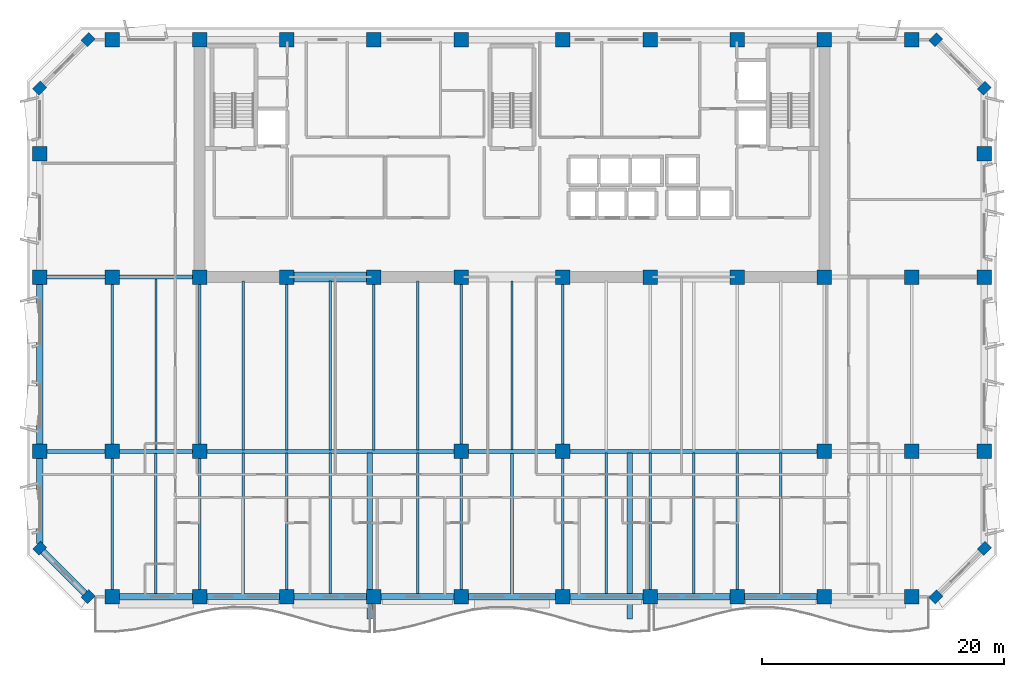
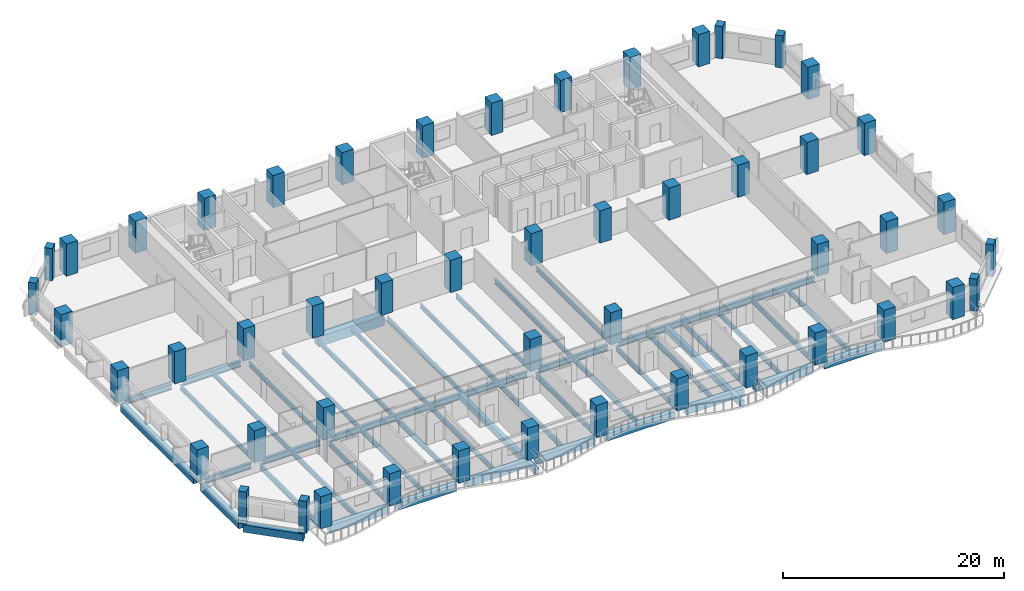
# One storey, part 1 of 15: 50 columns, 47 beams.
"""IFC4 building model written with IfcOpenShell, lengths in metres."""

from ifc_helpers import new_model, si_unit, direction, frame, origin, origin_2d, place, context, subcontext, project, spatial, rectangle, i_section, extrude, material, material_profile, profile_set, type_object, element, save


model = new_model("IFC4")

# Units and contexts
model_context = context("Model", 3, precision=1e-05, world=origin(), true_north=direction((0.0, 1.0)))
body_context = subcontext(model_context, "Body", "Model", "MODEL_VIEW")
ifc_project = project(units=[si_unit("LENGTHUNIT", "METRE"), si_unit("AREAUNIT", "SQUARE_METRE"), si_unit("VOLUMEUNIT", "CUBIC_METRE"), si_unit("PLANEANGLEUNIT", "RADIAN"), si_unit("MASSUNIT", "GRAM", prefix="KILO")], contexts=[model_context])

# Site, building, storey
site_placement = place(None, origin())
site = spatial("IfcSite", under=ifc_project, at=site_placement, CompositionType="ELEMENT")
building_placement = place(site_placement, origin())
building = spatial("IfcBuilding", under=site, at=building_placement, Name="Kaelvorn Grand Hotel", CompositionType="ELEMENT")
storey_placement = place(building_placement, frame((0.0, 0.0, 146.75)))
storey = spatial("IfcBuildingStorey", under=building, at=storey_placement, Name="L35", CompositionType="ELEMENT", Elevation=146.75)

# Columns
ifc_material_1 = material(Name="Concrete C60/75", Category="concrete")
ifc_material_profile_1 = material_profile(ifc_material_1, rectangle(XDim=0.89990234375, YDim=0.75, at=origin_2d()), Name="RC PILASTER 900x750")
ifc_profile_set_1 = profile_set([ifc_material_profile_1], Name="Concrete C60/75")
column_type_1 = type_object("IfcColumnType", Name="COL-PIL-900x750-C60", PredefinedType="PILASTER", material=ifc_profile_set_1)
for number, where, z_axis, x_axis, name in (
    (1, (7.0, 3.0, 0.0), (0.0, 0.0, 1.0), (0.707106781187, 0.707106781187, 0.0), "L35 Structural Column CH-01"),
    (2, (77.0, 3.0, 0.0), (0.0, 0.0, 1.0), (0.707106781187, 0.707106781187, 0.0), "L35 Structural Column CH-02"),
    (3, (81.0, 7.0, 0.0), (0.0, 0.0, 1.0), (0.707106781187, 0.707106781187, 0.0), "L35 Structural Column CH-03"),
    (4, (81.0, 45.0, 0.0), (0.0, 0.0, 1.0), (0.707106781187, 0.707106781187, 0.0), "L35 Structural Column CH-04"),
    (5, (77.0, 49.0, 0.0), (0.0, 0.0, 1.0), (0.707106781187, 0.707106781187, 0.0), "L35 Structural Column CH-05"),
    (6, (7.0, 49.0, 0.0), (0.0, 0.0, 1.0), (0.707106781187, 0.707106781187, 0.0), "L35 Structural Column CH-06"),
    (7, (3.0, 45.0, 0.0), (0.0, 0.0, 1.0), (0.707106781187, 0.707106781187, 0.0), "L35 Structural Column CH-07"),
    (8, (3.0, 7.0, 0.0), (0.0, 0.0, 1.0), (0.707106781187, 0.707106781187, 0.0), "L35 Structural Column CH-08"),
):
    element("IfcColumn", number, at=place(storey_placement, frame(where, z_axis=z_axis, x_axis=x_axis)), inside=storey, type_object=column_type_1, Name=name, PredefinedType="PILASTER", context=body_context, shape_type="SweptSolid", body=[
        extrude(rectangle(XDim=0.89990234375, YDim=0.75, at=origin_2d()), origin(), (0.0, 0.0, 1.0), 3.56005859375),
    ])
ifc_material_profile_2 = material_profile(ifc_material_1, rectangle(XDim=1.199951171875, YDim=1.199951171875, at=origin_2d()), Name="RC COL 1200x1200")
ifc_profile_set_2 = profile_set([ifc_material_profile_2], Name="Concrete C60/75")
column_type_2 = type_object("IfcColumnType", Name="COL-RC-1200-C60", PredefinedType="COLUMN", material=ifc_profile_set_2)
for number, where, z_axis, x_axis, name in (
    (9, (9.0, 3.0, 0.0), (0.0, 0.0, 1.0), (1.0, 0.0, 0.0), "L35 Structural Column S-01"),
    (10, (16.199951171875, 3.0, 0.0), (0.0, 0.0, 1.0), (1.0, 0.0, 0.0), "L35 Structural Column S-02"),
    (11, (23.39990234375, 3.0, 0.0), (0.0, 0.0, 1.0), (1.0, 0.0, 0.0), "L35 Structural Column S-03"),
    (12, (30.60009765625, 3.0, 0.0), (0.0, 0.0, 1.0), (1.0, 0.0, 0.0), "L35 Structural Column S-04"),
    (13, (37.800048828125, 3.0, 0.0), (0.0, 0.0, 1.0), (1.0, 0.0, 0.0), "L35 Structural Column S-05"),
    (14, (46.199951171875, 3.0, 0.0), (0.0, 0.0, 1.0), (1.0, 0.0, 0.0), "L35 Structural Column S-06"),
    (15, (53.39990234375, 3.0, 0.0), (0.0, 0.0, 1.0), (1.0, 0.0, 0.0), "L35 Structural Column S-07"),
    (16, (60.60009765625, 3.0, 0.0), (0.0, 0.0, 1.0), (1.0, 0.0, 0.0), "L35 Structural Column S-08"),
    (17, (67.800048828125, 3.0, 0.0), (0.0, 0.0, 1.0), (1.0, 0.0, 0.0), "L35 Structural Column S-09"),
    (18, (75.0, 3.0, 0.0), (0.0, 0.0, 1.0), (1.0, 0.0, 0.0), "L35 Structural Column S-10"),
    (19, (3.0, 15.0, 0.0), (0.0, 0.0, 1.0), (1.0, 0.0, 0.0), "L35 Structural Column W-01"),
    (20, (81.0, 15.0, 0.0), (0.0, 0.0, 1.0), (1.0, 0.0, 0.0), "L35 Structural Column E-01"),
    (21, (3.0, 29.39990234375, 0.0), (0.0, 0.0, 1.0), (1.0, 0.0, 0.0), "L35 Structural Column W-02"),
    (22, (81.0, 29.39990234375, 0.0), (0.0, 0.0, 1.0), (1.0, 0.0, 0.0), "L35 Structural Column E-02"),
    (23, (3.0, 39.60009765625, 0.0), (0.0, 0.0, 1.0), (1.0, 0.0, 0.0), "L35 Structural Column W-03"),
    (24, (81.0, 39.60009765625, 0.0), (0.0, 0.0, 1.0), (1.0, 0.0, 0.0), "L35 Structural Column E-03"),
    (25, (9.0, 15.0, 0.0), (0.0, 0.0, 1.0), (1.0, 0.0, 0.0), "L35 Structural Column M-01"),
    (26, (16.199951171875, 15.0, 0.0), (0.0, 0.0, 1.0), (1.0, 0.0, 0.0), "L35 Structural Column M-02"),
    (27, (37.800048828125, 15.0, 0.0), (0.0, 0.0, 1.0), (1.0, 0.0, 0.0), "L35 Structural Column M-03"),
    (28, (46.199951171875, 15.0, 0.0), (0.0, 0.0, 1.0), (1.0, 0.0, 0.0), "L35 Structural Column M-04"),
    (29, (67.800048828125, 15.0, 0.0), (0.0, 0.0, 1.0), (1.0, 0.0, 0.0), "L35 Structural Column M-05"),
    (30, (75.0, 15.0, 0.0), (0.0, 0.0, 1.0), (1.0, 0.0, 0.0), "L35 Structural Column M-06"),
    (31, (9.0, 29.39990234375, 0.0), (0.0, 0.0, 1.0), (1.0, 0.0, 0.0), "L35 Structural Column CR1-01"),
    (32, (9.0, 49.0, 0.0), (0.0, 0.0, 1.0), (1.0, 0.0, 0.0), "L35 Structural Column CR2-01"),
    (33, (16.199951171875, 29.39990234375, 0.0), (0.0, 0.0, 1.0), (1.0, 0.0, 0.0), "L35 Structural Column CR1-02"),
    (34, (16.199951171875, 49.0, 0.0), (0.0, 0.0, 1.0), (1.0, 0.0, 0.0), "L35 Structural Column CR2-02"),
    (35, (23.39990234375, 29.39990234375, 0.0), (0.0, 0.0, 1.0), (1.0, 0.0, 0.0), "L35 Structural Column CR1-03"),
    (36, (23.39990234375, 49.0, 0.0), (0.0, 0.0, 1.0), (1.0, 0.0, 0.0), "L35 Structural Column CR2-03"),
    (37, (30.60009765625, 29.39990234375, 0.0), (0.0, 0.0, 1.0), (1.0, 0.0, 0.0), "L35 Structural Column CR1-04"),
    (38, (30.60009765625, 49.0, 0.0), (0.0, 0.0, 1.0), (1.0, 0.0, 0.0), "L35 Structural Column CR2-04"),
    (39, (37.800048828125, 29.39990234375, 0.0), (0.0, 0.0, 1.0), (1.0, 0.0, 0.0), "L35 Structural Column CR1-05"),
    (40, (37.800048828125, 49.0, 0.0), (0.0, 0.0, 1.0), (1.0, 0.0, 0.0), "L35 Structural Column CR2-05"),
    (41, (46.199951171875, 29.39990234375, 0.0), (0.0, 0.0, 1.0), (1.0, 0.0, 0.0), "L35 Structural Column CR1-06"),
    (42, (46.199951171875, 49.0, 0.0), (0.0, 0.0, 1.0), (1.0, 0.0, 0.0), "L35 Structural Column CR2-06"),
    (43, (53.39990234375, 29.39990234375, 0.0), (0.0, 0.0, 1.0), (1.0, 0.0, 0.0), "L35 Structural Column CR1-07"),
    (44, (53.39990234375, 49.0, 0.0), (0.0, 0.0, 1.0), (1.0, 0.0, 0.0), "L35 Structural Column CR2-07"),
    (45, (60.60009765625, 29.39990234375, 0.0), (0.0, 0.0, 1.0), (1.0, 0.0, 0.0), "L35 Structural Column CR1-08"),
    (46, (60.60009765625, 49.0, 0.0), (0.0, 0.0, 1.0), (1.0, 0.0, 0.0), "L35 Structural Column CR2-08"),
    (47, (67.800048828125, 29.39990234375, 0.0), (0.0, 0.0, 1.0), (1.0, 0.0, 0.0), "L35 Structural Column CR1-09"),
    (48, (67.800048828125, 49.0, 0.0), (0.0, 0.0, 1.0), (1.0, 0.0, 0.0), "L35 Structural Column CR2-09"),
    (49, (75.0, 29.39990234375, 0.0), (0.0, 0.0, 1.0), (1.0, 0.0, 0.0), "L35 Structural Column CR1-10"),
    (50, (75.0, 49.0, 0.0), (0.0, 0.0, 1.0), (1.0, 0.0, 0.0), "L35 Structural Column CR2-10"),
):
    element("IfcColumn", number, at=place(storey_placement, frame(where, z_axis=z_axis, x_axis=x_axis)), inside=storey, type_object=column_type_2, Name=name, PredefinedType="COLUMN", context=body_context, shape_type="SweptSolid", body=[
        extrude(rectangle(XDim=1.199951171875, YDim=1.199951171875, at=origin_2d()), origin(), (0.0, 0.0, 1.0), 3.56005859375),
    ])

# Beams
ifc_material_2 = material(Name="Steel S355", Category="steel")
ifc_material_profile_3 = material_profile(ifc_material_2, i_section(OverallWidth=0.300048828125, OverallDepth=0.64990234375, WebThickness=0.01611328125, FlangeThickness=0.031005859375, FilletRadius=0.027099609375, at=origin_2d()), Name="HEB 650")
ifc_profile_set_3 = profile_set([ifc_material_profile_3], Name="Steel S355")
beam_type_1 = type_object("IfcBeamType", Name="BM-G-HEB650-S355", PredefinedType="BEAM", material=ifc_profile_set_3)
beam_1_placement = place(storey_placement, frame((3.5849609375, 15.0, -0.56494140625), z_axis=(1.0, 0.0, 0.0), x_axis=(0.0, 1.0, 0.0)))
element("IfcBeam", 51, at=beam_1_placement, inside=storey, type_object=beam_type_1, Name="L35 Primary Spine Steel Girder G-15 01", PredefinedType="BEAM", context=body_context, shape_type="SweptSolid", body=[
    extrude(i_section(OverallWidth=0.300048828125, OverallDepth=0.64990234375, WebThickness=0.01611328125, FlangeThickness=0.031005859375, FilletRadius=0.027099609375, at=origin_2d()), origin(), (0.0, 0.0, 1.0), 4.830078125),
])
beam_2_placement = place(storey_placement, frame((9.5849609375, 15.0, -0.56494140625), z_axis=(1.0, 0.0, 0.0), x_axis=(0.0, 1.0, 0.0)))
element("IfcBeam", 52, at=beam_2_placement, inside=storey, type_object=beam_type_1, Name="L35 Primary Spine Steel Girder G-15 02", PredefinedType="BEAM", context=body_context, shape_type="SweptSolid", body=[
    extrude(i_section(OverallWidth=0.300048828125, OverallDepth=0.64990234375, WebThickness=0.01611328125, FlangeThickness=0.031005859375, FilletRadius=0.027099609375, at=origin_2d()), origin(), (0.0, 0.0, 1.0), 6.030029296875),
])
beam_3_placement = place(storey_placement, frame((16.784912109375, 15.0, -0.56494140625), z_axis=(1.0, 0.0, 0.0), x_axis=(0.0, 1.0, 0.0)))
element("IfcBeam", 53, at=beam_3_placement, inside=storey, type_object=beam_type_1, Name="L35 Primary Spine Steel Girder G-15 03", PredefinedType="BEAM", context=body_context, shape_type="SweptSolid", body=[
    extrude(i_section(OverallWidth=0.300048828125, OverallDepth=0.64990234375, WebThickness=0.01611328125, FlangeThickness=0.031005859375, FilletRadius=0.027099609375, at=origin_2d()), origin(), (0.0, 0.0, 1.0), 20.43017578125),
])
beam_4_placement = place(storey_placement, frame((38.385009765625, 15.0, -0.56494140625), z_axis=(1.0, 0.0, 0.0), x_axis=(0.0, 1.0, 0.0)))
element("IfcBeam", 54, at=beam_4_placement, inside=storey, type_object=beam_type_1, Name="L35 Primary Spine Steel Girder G-15 04", PredefinedType="BEAM", context=body_context, shape_type="SweptSolid", body=[
    extrude(i_section(OverallWidth=0.300048828125, OverallDepth=0.64990234375, WebThickness=0.01611328125, FlangeThickness=0.031005859375, FilletRadius=0.027099609375, at=origin_2d()), origin(), (0.0, 0.0, 1.0), 7.22998046875),
])
beam_5_placement = place(storey_placement, frame((46.784912109375, 15.0, -0.56494140625), z_axis=(1.0, 0.0, 0.0), x_axis=(0.0, 1.0, 0.0)))
element("IfcBeam", 55, at=beam_5_placement, inside=storey, type_object=beam_type_1, Name="L35 Primary Spine Steel Girder G-15 05", PredefinedType="BEAM", context=body_context, shape_type="SweptSolid", body=[
    extrude(i_section(OverallWidth=0.300048828125, OverallDepth=0.64990234375, WebThickness=0.01611328125, FlangeThickness=0.031005859375, FilletRadius=0.027099609375, at=origin_2d()), origin(), (0.0, 0.0, 1.0), 20.43017578125),
])
beam_6_placement = place(storey_placement, frame((3.5849609375, 29.39990234375, -0.56494140625), z_axis=(1.0, 0.0, 0.0), x_axis=(0.0, 1.0, 0.0)))
element("IfcBeam", 56, at=beam_6_placement, inside=storey, type_object=beam_type_1, Name="L35 West Core Wing Steel Girder G-29W 01", PredefinedType="BEAM", context=body_context, shape_type="SweptSolid", body=[
    extrude(i_section(OverallWidth=0.300048828125, OverallDepth=0.64990234375, WebThickness=0.01611328125, FlangeThickness=0.031005859375, FilletRadius=0.027099609375, at=origin_2d()), origin(), (0.0, 0.0, 1.0), 4.830078125),
])
beam_7_placement = place(storey_placement, frame((9.5849609375, 29.39990234375, -0.56494140625), z_axis=(1.0, 0.0, 0.0), x_axis=(0.0, 1.0, 0.0)))
element("IfcBeam", 57, at=beam_7_placement, inside=storey, type_object=beam_type_1, Name="L35 West Core Wing Steel Girder G-29W 02", PredefinedType="BEAM", context=body_context, shape_type="SweptSolid", body=[
    extrude(i_section(OverallWidth=0.300048828125, OverallDepth=0.64990234375, WebThickness=0.01611328125, FlangeThickness=0.031005859375, FilletRadius=0.027099609375, at=origin_2d()), origin(), (0.0, 0.0, 1.0), 6.030029296875),
])
ifc_material_profile_4 = material_profile(ifc_material_2, i_section(OverallWidth=0.199951171875, OverallDepth=0.5, WebThickness=0.01025390625, FlangeThickness=0.01611328125, FilletRadius=0.02099609375, at=origin_2d()), Name="IPE 500")
ifc_profile_set_4 = profile_set([ifc_material_profile_4], Name="Steel S355")
beam_type_2 = type_object("IfcBeamType", Name="BM-J-IPE500-S355", PredefinedType="JOIST", material=ifc_profile_set_4)
beam_8_placement = place(storey_placement, frame((9.0, 15.5849609375, -0.489990234375), z_axis=(0.0, 1.0, 0.0), x_axis=(-1.0, 0.0, 0.0)))
element("IfcBeam", 58, at=beam_8_placement, inside=storey, type_object=beam_type_2, Name="L35 Composite Floor Joist JM-03", PredefinedType="JOIST", context=body_context, shape_type="SweptSolid", body=[
    extrude(i_section(OverallWidth=0.199951171875, OverallDepth=0.5, WebThickness=0.01025390625, FlangeThickness=0.01611328125, FilletRadius=0.02099609375, at=origin_2d()), origin(), (0.0, 0.0, 1.0), 13.22998046875),
])
beam_9_placement = place(storey_placement, frame((12.60009765625, 15.135009765625, -0.489990234375), z_axis=(0.0, 1.0, 0.0), x_axis=(-1.0, 0.0, 0.0)))
element("IfcBeam", 59, at=beam_9_placement, inside=storey, type_object=beam_type_2, Name="L35 Composite Floor Joist JM-04", PredefinedType="JOIST", context=body_context, shape_type="SweptSolid", body=[
    extrude(i_section(OverallWidth=0.199951171875, OverallDepth=0.5, WebThickness=0.01025390625, FlangeThickness=0.01611328125, FilletRadius=0.02099609375, at=origin_2d()), origin(), (0.0, 0.0, 1.0), 14.1298828125),
])
beam_10_placement = place(storey_placement, frame((16.199951171875, 15.5849609375, -0.489990234375), z_axis=(0.0, 1.0, 0.0), x_axis=(-1.0, 0.0, 0.0)))
element("IfcBeam", 60, at=beam_10_placement, inside=storey, type_object=beam_type_2, Name="L35 Composite Floor Joist JM-05", PredefinedType="JOIST", context=body_context, shape_type="SweptSolid", body=[
    extrude(i_section(OverallWidth=0.199951171875, OverallDepth=0.5, WebThickness=0.01025390625, FlangeThickness=0.01611328125, FilletRadius=0.02099609375, at=origin_2d()), origin(), (0.0, 0.0, 1.0), 13.22998046875),
])
beam_11_placement = place(storey_placement, frame((19.800048828125, 15.135009765625, -0.489990234375), z_axis=(0.0, 1.0, 0.0), x_axis=(-1.0, 0.0, 0.0)))
element("IfcBeam", 61, at=beam_11_placement, inside=storey, type_object=beam_type_2, Name="L35 Composite Floor Joist JM-06", PredefinedType="JOIST", context=body_context, shape_type="SweptSolid", body=[
    extrude(i_section(OverallWidth=0.199951171875, OverallDepth=0.5, WebThickness=0.01025390625, FlangeThickness=0.01611328125, FilletRadius=0.02099609375, at=origin_2d()), origin(), (0.0, 0.0, 1.0), 13.925048828125),
])
beam_12_placement = place(storey_placement, frame((23.39990234375, 15.135009765625, -0.489990234375), z_axis=(0.0, 1.0, 0.0), x_axis=(-1.0, 0.0, 0.0)))
element("IfcBeam", 62, at=beam_12_placement, inside=storey, type_object=beam_type_2, Name="L35 Composite Floor Joist JM-07", PredefinedType="JOIST", context=body_context, shape_type="SweptSolid", body=[
    extrude(i_section(OverallWidth=0.199951171875, OverallDepth=0.5, WebThickness=0.01025390625, FlangeThickness=0.01611328125, FilletRadius=0.02099609375, at=origin_2d()), origin(), (0.0, 0.0, 1.0), 13.679931640625),
])
beam_13_placement = place(storey_placement, frame((27.0, 15.135009765625, -0.489990234375), z_axis=(0.0, 1.0, 0.0), x_axis=(-1.0, 0.0, 0.0)))
element("IfcBeam", 63, at=beam_13_placement, inside=storey, type_object=beam_type_2, Name="L35 Composite Floor Joist JM-08", PredefinedType="JOIST", context=body_context, shape_type="SweptSolid", body=[
    extrude(i_section(OverallWidth=0.199951171875, OverallDepth=0.5, WebThickness=0.01025390625, FlangeThickness=0.01611328125, FilletRadius=0.02099609375, at=origin_2d()), origin(), (0.0, 0.0, 1.0), 13.925048828125),
])
beam_14_placement = place(storey_placement, frame((30.60009765625, 15.135009765625, -0.489990234375), z_axis=(0.0, 1.0, 0.0), x_axis=(-1.0, 0.0, 0.0)))
element("IfcBeam", 64, at=beam_14_placement, inside=storey, type_object=beam_type_2, Name="L35 Composite Floor Joist JM-09", PredefinedType="JOIST", context=body_context, shape_type="SweptSolid", body=[
    extrude(i_section(OverallWidth=0.199951171875, OverallDepth=0.5, WebThickness=0.01025390625, FlangeThickness=0.01611328125, FilletRadius=0.02099609375, at=origin_2d()), origin(), (0.0, 0.0, 1.0), 13.679931640625),
])
beam_15_placement = place(storey_placement, frame((34.199951171875, 15.135009765625, -0.489990234375), z_axis=(0.0, 1.0, 0.0), x_axis=(-1.0, 0.0, 0.0)))
element("IfcBeam", 65, at=beam_15_placement, inside=storey, type_object=beam_type_2, Name="L35 Composite Floor Joist JM-10", PredefinedType="JOIST", context=body_context, shape_type="SweptSolid", body=[
    extrude(i_section(OverallWidth=0.199951171875, OverallDepth=0.5, WebThickness=0.01025390625, FlangeThickness=0.01611328125, FilletRadius=0.02099609375, at=origin_2d()), origin(), (0.0, 0.0, 1.0), 13.925048828125),
])
beam_16_placement = place(storey_placement, frame((37.800048828125, 15.5849609375, -0.489990234375), z_axis=(0.0, 1.0, 0.0), x_axis=(-1.0, 0.0, 0.0)))
element("IfcBeam", 66, at=beam_16_placement, inside=storey, type_object=beam_type_2, Name="L35 Composite Floor Joist JM-11", PredefinedType="JOIST", context=body_context, shape_type="SweptSolid", body=[
    extrude(i_section(OverallWidth=0.199951171875, OverallDepth=0.5, WebThickness=0.01025390625, FlangeThickness=0.01611328125, FilletRadius=0.02099609375, at=origin_2d()), origin(), (0.0, 0.0, 1.0), 13.22998046875),
])
beam_17_placement = place(storey_placement, frame((42.0, 15.135009765625, -0.489990234375), z_axis=(0.0, 1.0, 0.0), x_axis=(-1.0, 0.0, 0.0)))
element("IfcBeam", 67, at=beam_17_placement, inside=storey, type_object=beam_type_2, Name="L35 Composite Floor Joist JM-12", PredefinedType="JOIST", context=body_context, shape_type="SweptSolid", body=[
    extrude(i_section(OverallWidth=0.199951171875, OverallDepth=0.5, WebThickness=0.01025390625, FlangeThickness=0.01611328125, FilletRadius=0.02099609375, at=origin_2d()), origin(), (0.0, 0.0, 1.0), 13.925048828125),
])
beam_18_placement = place(storey_placement, frame((46.199951171875, 15.5849609375, -0.489990234375), z_axis=(0.0, 1.0, 0.0), x_axis=(-1.0, 0.0, 0.0)))
element("IfcBeam", 68, at=beam_18_placement, inside=storey, type_object=beam_type_2, Name="L35 Composite Floor Joist JM-13", PredefinedType="JOIST", context=body_context, shape_type="SweptSolid", body=[
    extrude(i_section(OverallWidth=0.199951171875, OverallDepth=0.5, WebThickness=0.01025390625, FlangeThickness=0.01611328125, FilletRadius=0.02099609375, at=origin_2d()), origin(), (0.0, 0.0, 1.0), 13.22998046875),
])
ifc_material_profile_5 = material_profile(ifc_material_2, i_section(OverallWidth=0.2099609375, OverallDepth=0.550048828125, WebThickness=0.010986328125, FlangeThickness=0.01708984375, FilletRadius=0.02392578125, at=origin_2d()), Name="IPE 550")
ifc_profile_set_5 = profile_set([ifc_material_profile_5], Name="Steel S355")
beam_type_3 = type_object("IfcBeamType", Name="BM-J-IPE550-S355", PredefinedType="JOIST", material=ifc_profile_set_5)
beam_19_placement = place(storey_placement, frame((9.0, 3.5849609375, -0.514892578125), z_axis=(0.0, 1.0, 0.0), x_axis=(-1.0, 0.0, 0.0)))
element("IfcBeam", 69, at=beam_19_placement, inside=storey, type_object=beam_type_3, Name="L35 Composite Floor Joist JS-03", PredefinedType="JOIST", context=body_context, shape_type="SweptSolid", body=[
    extrude(i_section(OverallWidth=0.2099609375, OverallDepth=0.550048828125, WebThickness=0.010986328125, FlangeThickness=0.01708984375, FilletRadius=0.02392578125, at=origin_2d()), origin(), (0.0, 0.0, 1.0), 10.830078125),
])
beam_20_placement = place(storey_placement, frame((12.60009765625, 3.260009765625, -0.514892578125), z_axis=(0.0, 1.0, 0.0), x_axis=(-1.0, 0.0, 0.0)))
element("IfcBeam", 70, at=beam_20_placement, inside=storey, type_object=beam_type_3, Name="L35 Composite Floor Joist JS-04", PredefinedType="JOIST", context=body_context, shape_type="SweptSolid", body=[
    extrude(i_section(OverallWidth=0.2099609375, OverallDepth=0.550048828125, WebThickness=0.010986328125, FlangeThickness=0.01708984375, FilletRadius=0.02392578125, at=origin_2d()), origin(), (0.0, 0.0, 1.0), 11.60498046875),
])
beam_21_placement = place(storey_placement, frame((16.199951171875, 3.5849609375, -0.514892578125), z_axis=(0.0, 1.0, 0.0), x_axis=(-1.0, 0.0, 0.0)))
element("IfcBeam", 71, at=beam_21_placement, inside=storey, type_object=beam_type_3, Name="L35 Composite Floor Joist JS-05", PredefinedType="JOIST", context=body_context, shape_type="SweptSolid", body=[
    extrude(i_section(OverallWidth=0.2099609375, OverallDepth=0.550048828125, WebThickness=0.010986328125, FlangeThickness=0.01708984375, FilletRadius=0.02392578125, at=origin_2d()), origin(), (0.0, 0.0, 1.0), 10.830078125),
])
beam_22_placement = place(storey_placement, frame((19.800048828125, 3.260009765625, -0.514892578125), z_axis=(0.0, 1.0, 0.0), x_axis=(-1.0, 0.0, 0.0)))
element("IfcBeam", 72, at=beam_22_placement, inside=storey, type_object=beam_type_3, Name="L35 Composite Floor Joist JS-06", PredefinedType="JOIST", context=body_context, shape_type="SweptSolid", body=[
    extrude(i_section(OverallWidth=0.2099609375, OverallDepth=0.550048828125, WebThickness=0.010986328125, FlangeThickness=0.01708984375, FilletRadius=0.02392578125, at=origin_2d()), origin(), (0.0, 0.0, 1.0), 11.60498046875),
])
beam_23_placement = place(storey_placement, frame((23.39990234375, 3.5849609375, -0.514892578125), z_axis=(0.0, 1.0, 0.0), x_axis=(-1.0, 0.0, 0.0)))
element("IfcBeam", 73, at=beam_23_placement, inside=storey, type_object=beam_type_3, Name="L35 Composite Floor Joist JS-07", PredefinedType="JOIST", context=body_context, shape_type="SweptSolid", body=[
    extrude(i_section(OverallWidth=0.2099609375, OverallDepth=0.550048828125, WebThickness=0.010986328125, FlangeThickness=0.01708984375, FilletRadius=0.02392578125, at=origin_2d()), origin(), (0.0, 0.0, 1.0), 11.280029296875),
])
for number, where, z_axis, x_axis, name in (
    (74, (27.0, 3.260009765625, -0.514892578125), (0.0, 1.0, 0.0), (-1.0, 0.0, 0.0), "L35 Composite Floor Joist JS-08"),
    (75, (34.199951171875, 3.260009765625, -0.514892578125), (0.0, 1.0, 0.0), (-1.0, 0.0, 0.0), "L35 Composite Floor Joist JS-10"),
):
    element("IfcBeam", number, at=place(storey_placement, frame(where, z_axis=z_axis, x_axis=x_axis)), inside=storey, type_object=beam_type_3, Name=name, PredefinedType="JOIST", context=body_context, shape_type="SweptSolid", body=[
        extrude(i_section(OverallWidth=0.2099609375, OverallDepth=0.550048828125, WebThickness=0.010986328125, FlangeThickness=0.01708984375, FilletRadius=0.02392578125, at=origin_2d()), origin(), (0.0, 0.0, 1.0), 11.60498046875),
    ])
beam_24_placement = place(storey_placement, frame((37.800048828125, 3.5849609375, -0.514892578125), z_axis=(0.0, 1.0, 0.0), x_axis=(-1.0, 0.0, 0.0)))
element("IfcBeam", 76, at=beam_24_placement, inside=storey, type_object=beam_type_3, Name="L35 Composite Floor Joist JS-11", PredefinedType="JOIST", context=body_context, shape_type="SweptSolid", body=[
    extrude(i_section(OverallWidth=0.2099609375, OverallDepth=0.550048828125, WebThickness=0.010986328125, FlangeThickness=0.01708984375, FilletRadius=0.02392578125, at=origin_2d()), origin(), (0.0, 0.0, 1.0), 10.830078125),
])
beam_25_placement = place(storey_placement, frame((42.0, 3.260009765625, -0.514892578125), z_axis=(0.0, 1.0, 0.0), x_axis=(-1.0, 0.0, 0.0)))
element("IfcBeam", 77, at=beam_25_placement, inside=storey, type_object=beam_type_3, Name="L35 Composite Floor Joist JS-12", PredefinedType="JOIST", context=body_context, shape_type="SweptSolid", body=[
    extrude(i_section(OverallWidth=0.2099609375, OverallDepth=0.550048828125, WebThickness=0.010986328125, FlangeThickness=0.01708984375, FilletRadius=0.02392578125, at=origin_2d()), origin(), (0.0, 0.0, 1.0), 11.60498046875),
])
beam_26_placement = place(storey_placement, frame((46.199951171875, 3.5849609375, -0.514892578125), z_axis=(0.0, 1.0, 0.0), x_axis=(-1.0, 0.0, 0.0)))
element("IfcBeam", 78, at=beam_26_placement, inside=storey, type_object=beam_type_3, Name="L35 Composite Floor Joist JS-13", PredefinedType="JOIST", context=body_context, shape_type="SweptSolid", body=[
    extrude(i_section(OverallWidth=0.2099609375, OverallDepth=0.550048828125, WebThickness=0.010986328125, FlangeThickness=0.01708984375, FilletRadius=0.02392578125, at=origin_2d()), origin(), (0.0, 0.0, 1.0), 10.830078125),
])
beam_27_placement = place(storey_placement, frame((49.800048828125, 3.260009765625, -0.514892578125), z_axis=(0.0, 1.0, 0.0), x_axis=(-1.0, 0.0, 0.0)))
element("IfcBeam", 79, at=beam_27_placement, inside=storey, type_object=beam_type_3, Name="L35 Composite Floor Joist JS-14", PredefinedType="JOIST", context=body_context, shape_type="SweptSolid", body=[
    extrude(i_section(OverallWidth=0.2099609375, OverallDepth=0.550048828125, WebThickness=0.010986328125, FlangeThickness=0.01708984375, FilletRadius=0.02392578125, at=origin_2d()), origin(), (0.0, 0.0, 1.0), 11.60498046875),
])
beam_28_placement = place(storey_placement, frame((53.39990234375, 3.5849609375, -0.514892578125), z_axis=(0.0, 1.0, 0.0), x_axis=(-1.0, 0.0, 0.0)))
element("IfcBeam", 80, at=beam_28_placement, inside=storey, type_object=beam_type_3, Name="L35 Composite Floor Joist JS-15", PredefinedType="JOIST", context=body_context, shape_type="SweptSolid", body=[
    extrude(i_section(OverallWidth=0.2099609375, OverallDepth=0.550048828125, WebThickness=0.010986328125, FlangeThickness=0.01708984375, FilletRadius=0.02392578125, at=origin_2d()), origin(), (0.0, 0.0, 1.0), 11.280029296875),
])
beam_29_placement = place(storey_placement, frame((57.0, 3.260009765625, -0.514892578125), z_axis=(0.0, 1.0, 0.0), x_axis=(-1.0, 0.0, 0.0)))
element("IfcBeam", 81, at=beam_29_placement, inside=storey, type_object=beam_type_3, Name="L35 Composite Floor Joist JS-16", PredefinedType="JOIST", context=body_context, shape_type="SweptSolid", body=[
    extrude(i_section(OverallWidth=0.2099609375, OverallDepth=0.550048828125, WebThickness=0.010986328125, FlangeThickness=0.01708984375, FilletRadius=0.02392578125, at=origin_2d()), origin(), (0.0, 0.0, 1.0), 11.60498046875),
])
beam_30_placement = place(storey_placement, frame((60.60009765625, 3.5849609375, -0.514892578125), z_axis=(0.0, 1.0, 0.0), x_axis=(-1.0, 0.0, 0.0)))
element("IfcBeam", 82, at=beam_30_placement, inside=storey, type_object=beam_type_3, Name="L35 Composite Floor Joist JS-17", PredefinedType="JOIST", context=body_context, shape_type="SweptSolid", body=[
    extrude(i_section(OverallWidth=0.2099609375, OverallDepth=0.550048828125, WebThickness=0.010986328125, FlangeThickness=0.01708984375, FilletRadius=0.02392578125, at=origin_2d()), origin(), (0.0, 0.0, 1.0), 11.280029296875),
])
beam_31_placement = place(storey_placement, frame((64.199951171875, 3.260009765625, -0.514892578125), z_axis=(0.0, 1.0, 0.0), x_axis=(-1.0, 0.0, 0.0)))
element("IfcBeam", 83, at=beam_31_placement, inside=storey, type_object=beam_type_3, Name="L35 Composite Floor Joist JS-18", PredefinedType="JOIST", context=body_context, shape_type="SweptSolid", body=[
    extrude(i_section(OverallWidth=0.2099609375, OverallDepth=0.550048828125, WebThickness=0.010986328125, FlangeThickness=0.01708984375, FilletRadius=0.02392578125, at=origin_2d()), origin(), (0.0, 0.0, 1.0), 11.60498046875),
])
ifc_material_profile_6 = material_profile(ifc_material_1, rectangle(XDim=0.800048828125, YDim=1.10009765625, at=origin_2d()), Name="RC LINTEL 800x1100")
ifc_profile_set_6 = profile_set([ifc_material_profile_6], Name="Concrete C60/75")
beam_type_4 = type_object("IfcBeamType", Name="BM-LIN-800x1100-C60", PredefinedType="LINTEL", material=ifc_profile_set_6)
beam_32_placement = place(storey_placement, frame((23.580078125, 29.39990234375, -0.7900390625), z_axis=(1.0, 0.0, 0.0), x_axis=(0.0, 1.0, 0.0)))
element("IfcBeam", 84, at=beam_32_placement, inside=storey, type_object=beam_type_4, Name="L35 Rear-Core Coupling Lintel Beam CB1-01", PredefinedType="LINTEL", context=body_context, shape_type="SweptSolid", body=[
    extrude(rectangle(XDim=0.800048828125, YDim=1.10009765625, at=origin_2d()), origin(), (0.0, 0.0, 1.0), 6.83984375),
])
ifc_material_3 = material(Name="Concrete C40/50", Category="concrete")
ifc_material_profile_7 = material_profile(ifc_material_3, rectangle(XDim=0.449951171875, YDim=0.64990234375, at=origin_2d()), Name="RC RIB 450x650")
ifc_profile_set_7 = profile_set([ifc_material_profile_7], Name="Concrete C40/50")
beam_type_5 = type_object("IfcBeamType", Name="BM-RIB-450x650-C40", PredefinedType="SPANDREL", material=ifc_profile_set_7)
for number, where, z_axis, x_axis, name in (
    (85, (30.2666015625, 1.14990234375, -0.544921875), (0.0, 1.0, 0.0), (-1.0, 0.0, 0.0), "L35 Cantilevered Balcony Back-Span Rib RB1-1"),
    (86, (51.71435546875, 1.14990234375, -0.544921875), (0.0, 1.0, 0.0), (-1.0, 0.0, 0.0), "L35 Cantilevered Balcony Back-Span Rib RB1-2"),
):
    element("IfcBeam", number, at=place(storey_placement, frame(where, z_axis=z_axis, x_axis=x_axis)), inside=storey, type_object=beam_type_5, Name=name, PredefinedType="SPANDREL", context=body_context, shape_type="SweptSolid", body=[
        extrude(rectangle(XDim=0.449951171875, YDim=0.64990234375, at=origin_2d()), origin(), (0.0, 0.0, 1.0), 13.715087890625),
    ])
ifc_material_4 = material(Name="Concrete C50/60", Category="concrete")
ifc_material_profile_8 = material_profile(ifc_material_4, rectangle(XDim=0.550048828125, YDim=0.800048828125, at=origin_2d()), Name="RC SPANDREL 550x800")
ifc_profile_set_8 = profile_set([ifc_material_profile_8], Name="Concrete C50/60")
beam_type_6 = type_object("IfcBeamType", Name="BM-SP-550x800-C50", PredefinedType="SPANDREL", material=ifc_profile_set_8)
for number, where, z_axis, x_axis, name in (
    (87, (9.5849609375, 3.0, -0.639892578125), (1.0, 0.0, 0.0), (0.0, 1.0, 0.0), "L35 South Perimeter Spandrel 02"),
    (88, (16.784912109375, 3.0, -0.639892578125), (1.0, 0.0, 0.0), (0.0, 1.0, 0.0), "L35 South Perimeter Spandrel 03"),
):
    element("IfcBeam", number, at=place(storey_placement, frame(where, z_axis=z_axis, x_axis=x_axis)), inside=storey, type_object=beam_type_6, Name=name, PredefinedType="SPANDREL", context=body_context, shape_type="SweptSolid", body=[
        extrude(rectangle(XDim=0.550048828125, YDim=0.800048828125, at=origin_2d()), origin(), (0.0, 0.0, 1.0), 6.030029296875),
    ])
beam_33_placement = place(storey_placement, frame((23.985107421875, 3.0, -0.639892578125), z_axis=(1.0, 0.0, 0.0), x_axis=(0.0, 1.0, 0.0)))
element("IfcBeam", 89, at=beam_33_placement, inside=storey, type_object=beam_type_6, Name="L35 South Perimeter Spandrel 04", PredefinedType="SPANDREL", context=body_context, shape_type="SweptSolid", body=[
    extrude(rectangle(XDim=0.550048828125, YDim=0.800048828125, at=origin_2d()), origin(), (0.0, 0.0, 1.0), 6.02978515625),
])
beam_34_placement = place(storey_placement, frame((31.18505859375, 3.0, -0.639892578125), z_axis=(1.0, 0.0, 0.0), x_axis=(0.0, 1.0, 0.0)))
element("IfcBeam", 90, at=beam_34_placement, inside=storey, type_object=beam_type_6, Name="L35 South Perimeter Spandrel 05", PredefinedType="SPANDREL", context=body_context, shape_type="SweptSolid", body=[
    extrude(rectangle(XDim=0.550048828125, YDim=0.800048828125, at=origin_2d()), origin(), (0.0, 0.0, 1.0), 6.030029296875),
])
beam_35_placement = place(storey_placement, frame((38.385009765625, 3.0, -0.639892578125), z_axis=(1.0, 0.0, 0.0), x_axis=(0.0, 1.0, 0.0)))
element("IfcBeam", 91, at=beam_35_placement, inside=storey, type_object=beam_type_6, Name="L35 South Perimeter Spandrel 06", PredefinedType="SPANDREL", context=body_context, shape_type="SweptSolid", body=[
    extrude(rectangle(XDim=0.550048828125, YDim=0.800048828125, at=origin_2d()), origin(), (0.0, 0.0, 1.0), 7.22998046875),
])
beam_36_placement = place(storey_placement, frame((46.784912109375, 3.0, -0.639892578125), z_axis=(1.0, 0.0, 0.0), x_axis=(0.0, 1.0, 0.0)))
element("IfcBeam", 92, at=beam_36_placement, inside=storey, type_object=beam_type_6, Name="L35 South Perimeter Spandrel 07", PredefinedType="SPANDREL", context=body_context, shape_type="SweptSolid", body=[
    extrude(rectangle(XDim=0.550048828125, YDim=0.800048828125, at=origin_2d()), origin(), (0.0, 0.0, 1.0), 6.030029296875),
])
beam_37_placement = place(storey_placement, frame((53.985107421875, 3.0, -0.639892578125), z_axis=(1.0, 0.0, 0.0), x_axis=(0.0, 1.0, 0.0)))
element("IfcBeam", 93, at=beam_37_placement, inside=storey, type_object=beam_type_6, Name="L35 South Perimeter Spandrel 08", PredefinedType="SPANDREL", context=body_context, shape_type="SweptSolid", body=[
    extrude(rectangle(XDim=0.550048828125, YDim=0.800048828125, at=origin_2d()), origin(), (0.0, 0.0, 1.0), 6.02978515625),
])
beam_38_placement = place(storey_placement, frame((61.18505859375, 3.0, -0.639892578125), z_axis=(1.0, 0.0, 0.0), x_axis=(0.0, 1.0, 0.0)))
element("IfcBeam", 94, at=beam_38_placement, inside=storey, type_object=beam_type_6, Name="L35 South Perimeter Spandrel 09", PredefinedType="SPANDREL", context=body_context, shape_type="SweptSolid", body=[
    extrude(rectangle(XDim=0.550048828125, YDim=0.800048828125, at=origin_2d()), origin(), (0.0, 0.0, 1.0), 6.030029296875),
])
beam_39_placement = place(storey_placement, frame((3.0, 7.405029296875, -0.639892578125), z_axis=(0.0, 1.0, 0.0), x_axis=(-1.0, 0.0, 0.0)))
element("IfcBeam", 95, at=beam_39_placement, inside=storey, type_object=beam_type_6, Name="L35 West Perimeter Spandrel 01", PredefinedType="SPANDREL", context=body_context, shape_type="SweptSolid", body=[
    extrude(rectangle(XDim=0.550048828125, YDim=0.800048828125, at=origin_2d()), origin(), (0.0, 0.0, 1.0), 7.010009765625),
])
beam_40_placement = place(storey_placement, frame((3.0, 15.5849609375, -0.639892578125), z_axis=(0.0, 1.0, 0.0), x_axis=(-1.0, 0.0, 0.0)))
element("IfcBeam", 96, at=beam_40_placement, inside=storey, type_object=beam_type_6, Name="L35 West Perimeter Spandrel 02", PredefinedType="SPANDREL", context=body_context, shape_type="SweptSolid", body=[
    extrude(rectangle(XDim=0.550048828125, YDim=0.800048828125, at=origin_2d()), origin(), (0.0, 0.0, 1.0), 13.22998046875),
])
beam_41_placement = place(storey_placement, frame((3.0, 7.0, -0.639892578125), z_axis=(0.707106781187, -0.707106781187, 0.0), x_axis=(0.707106781187, 0.707106781187, 0.0)))
element("IfcBeam", 97, at=beam_41_placement, inside=storey, type_object=beam_type_6, Name="L35 Chamfer Spandrel Beam 4", PredefinedType="SPANDREL", context=body_context, shape_type="SweptSolid", body=[
    extrude(rectangle(XDim=0.550048828125, YDim=0.800048828125, at=origin_2d()), origin(), (0.0, 0.0, 1.0), 5.65673828125),
])

save(model, "model.ifc")
